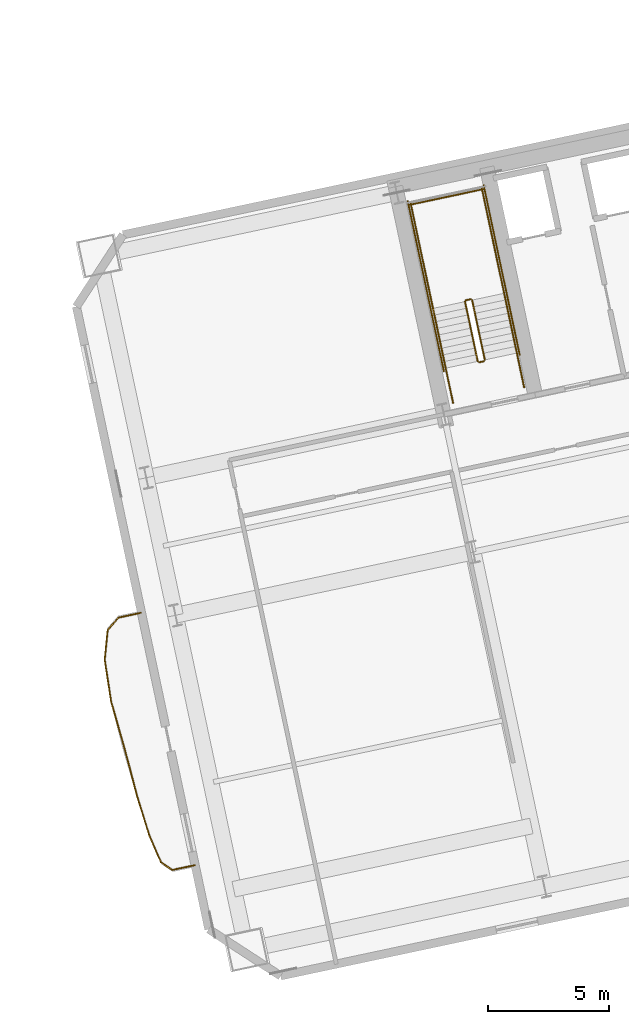
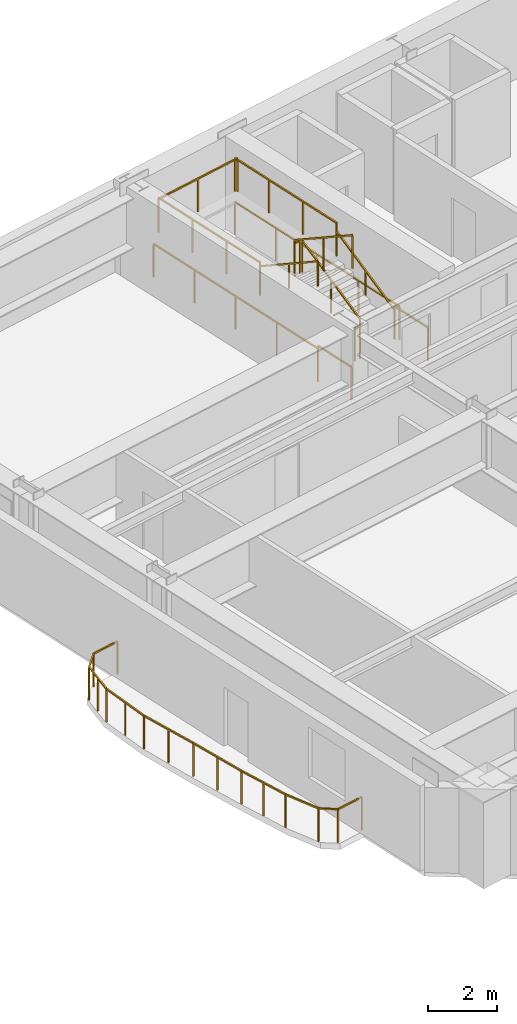
# One storey, part 16 of 18: 23 railings.
"""IFC4 building model written with IfcOpenShell, lengths in metres."""

from ifc_helpers import new_model, si_unit, direction, frame, origin, origin_2d, place, context, subcontext, project, spatial, rectangle, extrude, material, type_object, element, save


model = new_model("IFC4")

# Units and contexts
model_context = context("Model", 3, precision=1e-05, world=origin(), true_north=direction((0.0, 1.0)))
body_context = subcontext(model_context, "Body", "Model", "MODEL_VIEW")
ifc_project = project(units=[si_unit("LENGTHUNIT", "METRE"), si_unit("AREAUNIT", "SQUARE_METRE"), si_unit("VOLUMEUNIT", "CUBIC_METRE"), si_unit("PLANEANGLEUNIT", "RADIAN"), si_unit("MASSUNIT", "GRAM", prefix="KILO")], contexts=[model_context])

# Site, building, storey
site_placement = place(None, origin())
site = spatial("IfcSite", under=ifc_project, at=site_placement, CompositionType="ELEMENT")
building_placement = place(site_placement, origin())
building = spatial("IfcBuilding", under=site, at=building_placement, Name="Haevon Station Towers", CompositionType="ELEMENT")
storey_placement = place(building_placement, frame((0.0, 0.0, 66.89990234375)))
storey = spatial("IfcBuildingStorey", under=building, at=storey_placement, Name="L17", CompositionType="ELEMENT", Elevation=66.89990234375)

# Railings
ifc_material = material(Name="Steel S355", Category="steel")
railing_type_1 = type_object("IfcRailingType", Name="GRD-EXT1200", PredefinedType="GUARDRAIL", material=ifc_material)
railing_1_placement = place(storey_placement, frame((86.256591796875, 29.2626953125, 0.0)))
element("IfcRailing", 1, at=railing_1_placement, inside=storey, type_object=railing_type_1, Name="L17 Perimeter Guardrail 1", PredefinedType="GUARDRAIL", context=body_context, shape_type="SweptSolid", body=[
    extrude(rectangle(XDim=0.048095703125, YDim=0.048095703125, at=origin_2d()), frame((0.0, 0.0, 1.17578125), z_axis=(-0.97773800114, -0.209829457244, 0.0), x_axis=(0.209829457244, -0.97773800114, 0.0)), (0.0, 0.0, 1.0), 0.943603515625),
    extrude(rectangle(XDim=0.0419921875, YDim=0.0419921875, at=origin_2d()), origin(), (0.0, 0.0, 1.0), 1.15185546875),
    extrude(rectangle(XDim=0.0419921875, YDim=0.0419921875, at=origin_2d()), frame((-0.922607421875, -0.197998046875, 0.0)), (0.0, 0.0, 1.0), 1.15185546875),
])
railing_2_placement = place(storey_placement, frame((85.333984375, 29.064697265625, 0.0)))
element("IfcRailing", 2, at=railing_2_placement, inside=storey, type_object=railing_type_1, Name="L17 Perimeter Guardrail 2", PredefinedType="GUARDRAIL", context=body_context, shape_type="SweptSolid", body=[
    extrude(rectangle(XDim=0.048095703125, YDim=0.048095703125, at=origin_2d()), frame((0.0, 0.0, 1.17578125), z_axis=(-0.655665202025, -0.755051748461, 0.0), x_axis=(0.755051748461, -0.655665202025, 0.0)), (0.0, 0.0, 1.0), 0.682861328125),
    extrude(rectangle(XDim=0.0419921875, YDim=0.0419921875, at=origin_2d()), origin(), (0.0, 0.0, 1.0), 1.15185546875),
    extrude(rectangle(XDim=0.0419921875, YDim=0.0419921875, at=origin_2d()), frame((-0.44775390625, -0.515625, 0.0)), (0.0, 0.0, 1.0), 1.15185546875),
])
railing_3_placement = place(storey_placement, frame((84.88623046875, 28.549072265625, 0.0)))
element("IfcRailing", 3, at=railing_3_placement, inside=storey, type_object=railing_type_1, Name="L17 Perimeter Guardrail 3", PredefinedType="GUARDRAIL", context=body_context, shape_type="SweptSolid", body=[
    extrude(rectangle(XDim=0.048095703125, YDim=0.048095703125, at=origin_2d()), frame((0.0, 0.0, 1.17578125), z_axis=(-0.098459885115, -0.995141020671, 0.0), x_axis=(0.995141020671, -0.098459885115, 0.0)), (0.0, 0.0, 1.0), 1.227294921875),
    extrude(rectangle(XDim=0.0419921875, YDim=0.0419921875, at=origin_2d()), origin(), (0.0, 0.0, 1.0), 1.15185546875),
    extrude(rectangle(XDim=0.0419921875, YDim=0.0419921875, at=origin_2d()), frame((-0.060546875, -0.61083984375, 0.0)), (0.0, 0.0, 1.0), 1.15185546875),
    extrude(rectangle(XDim=0.0419921875, YDim=0.0419921875, at=origin_2d()), frame((-0.120849609375, -1.221435546875, 0.0)), (0.0, 0.0, 1.0), 1.15185546875),
])
railing_4_placement = place(storey_placement, frame((84.765380859375, 27.32763671875, 0.0)))
element("IfcRailing", 4, at=railing_4_placement, inside=storey, type_object=railing_type_1, Name="L17 Perimeter Guardrail 4", PredefinedType="GUARDRAIL", context=body_context, shape_type="SweptSolid", body=[
    extrude(rectangle(XDim=0.048095703125, YDim=0.048095703125, at=origin_2d()), frame((0.0, 0.0, 1.17578125), z_axis=(0.151135149522, -0.988513108957, 0.0), x_axis=(0.988513108957, 0.151135149522, 0.0)), (0.0, 0.0, 1.0), 1.7509765625),
    extrude(rectangle(XDim=0.0419921875, YDim=0.0419921875, at=origin_2d()), origin(), (0.0, 0.0, 1.0), 1.15185546875),
    extrude(rectangle(XDim=0.0419921875, YDim=0.0419921875, at=origin_2d()), frame((0.13232421875, -0.865478515625, 0.0)), (0.0, 0.0, 1.0), 1.15185546875),
    extrude(rectangle(XDim=0.0419921875, YDim=0.0419921875, at=origin_2d()), frame((0.2646484375, -1.73095703125, 0.0)), (0.0, 0.0, 1.0), 1.15185546875),
])
railing_5_placement = place(storey_placement, frame((85.030029296875, 25.5966796875, 0.0)))
element("IfcRailing", 5, at=railing_5_placement, inside=storey, type_object=railing_type_1, Name="L17 Perimeter Guardrail 5", PredefinedType="GUARDRAIL", context=body_context, shape_type="SweptSolid", body=[
    extrude(rectangle(XDim=0.048095703125, YDim=0.048095703125, at=origin_2d()), frame((0.0, 0.0, 1.17578125), z_axis=(0.27591625735, -0.96118167842, 0.0), x_axis=(0.96118167842, 0.27591625735, 0.0)), (0.0, 0.0, 1.0), 1.99609375),
    extrude(rectangle(XDim=0.0419921875, YDim=0.0419921875, at=origin_2d()), origin(), (0.0, 0.0, 1.0), 1.15185546875),
    extrude(rectangle(XDim=0.0419921875, YDim=0.0419921875, at=origin_2d()), frame((0.275390625, -0.95947265625, 0.0)), (0.0, 0.0, 1.0), 1.15185546875),
    extrude(rectangle(XDim=0.0419921875, YDim=0.0419921875, at=origin_2d()), frame((0.55078125, -1.918701171875, 0.0)), (0.0, 0.0, 1.0), 1.15185546875),
])
railing_6_placement = place(storey_placement, frame((85.580810546875, 23.677978515625, 0.0)))
element("IfcRailing", 6, at=railing_6_placement, inside=storey, type_object=railing_type_1, Name="L17 Perimeter Guardrail 6", PredefinedType="GUARDRAIL", context=body_context, shape_type="SweptSolid", body=[
    extrude(rectangle(XDim=0.048095703125, YDim=0.048095703125, at=origin_2d()), frame((0.0, 0.0, 1.17578125), z_axis=(0.254088852988, -0.967180880077, 0.0), x_axis=(0.967180880077, 0.254088852988, 0.0)), (0.0, 0.0, 1.0), 1.990966796875),
    extrude(rectangle(XDim=0.0419921875, YDim=0.0419921875, at=origin_2d()), origin(), (0.0, 0.0, 1.0), 1.15185546875),
    extrude(rectangle(XDim=0.0419921875, YDim=0.0419921875, at=origin_2d()), frame((0.2529296875, -0.962890625, 0.0)), (0.0, 0.0, 1.0), 1.15185546875),
    extrude(rectangle(XDim=0.0419921875, YDim=0.0419921875, at=origin_2d()), frame((0.505859375, -1.925537109375, 0.0)), (0.0, 0.0, 1.0), 1.15185546875),
])
railing_7_placement = place(storey_placement, frame((86.086669921875, 21.75244140625, 0.0)))
element("IfcRailing", 7, at=railing_7_placement, inside=storey, type_object=railing_type_1, Name="L17 Perimeter Guardrail 7", PredefinedType="GUARDRAIL", context=body_context, shape_type="SweptSolid", body=[
    extrude(rectangle(XDim=0.048095703125, YDim=0.048095703125, at=origin_2d()), frame((0.0, 0.0, 1.17578125), z_axis=(0.295267067972, -0.955414757355, 0.0), x_axis=(0.955414757355, 0.295267067972, 0.0)), (0.0, 0.0, 1.0), 1.757080078125),
    extrude(rectangle(XDim=0.0419921875, YDim=0.0419921875, at=origin_2d()), origin(), (0.0, 0.0, 1.0), 1.15185546875),
    extrude(rectangle(XDim=0.0419921875, YDim=0.0419921875, at=origin_2d()), frame((0.25927734375, -0.83935546875, 0.0)), (0.0, 0.0, 1.0), 1.15185546875),
    extrude(rectangle(XDim=0.0419921875, YDim=0.0419921875, at=origin_2d()), frame((0.518798828125, -1.6787109375, 0.0)), (0.0, 0.0, 1.0), 1.15185546875),
])
railing_8_placement = place(storey_placement, frame((86.60546875, 20.07373046875, 0.0)))
element("IfcRailing", 8, at=railing_8_placement, inside=storey, type_object=railing_type_1, Name="L17 Perimeter Guardrail 8", PredefinedType="GUARDRAIL", context=body_context, shape_type="SweptSolid", body=[
    extrude(rectangle(XDim=0.048095703125, YDim=0.048095703125, at=origin_2d()), frame((0.0, 0.0, 1.17578125), z_axis=(0.400690202957, -0.916213600234, 0.0), x_axis=(0.916213600234, 0.400690202957, 0.0)), (0.0, 0.0, 1.0), 1.19482421875),
    extrude(rectangle(XDim=0.0419921875, YDim=0.0419921875, at=origin_2d()), origin(), (0.0, 0.0, 1.0), 1.15185546875),
    extrude(rectangle(XDim=0.0419921875, YDim=0.0419921875, at=origin_2d()), frame((0.478759765625, -1.0947265625, 0.0)), (0.0, 0.0, 1.0), 1.15185546875),
])
railing_9_placement = place(storey_placement, frame((87.084228515625, 18.97900390625, 0.0)))
element("IfcRailing", 9, at=railing_9_placement, inside=storey, type_object=railing_type_1, Name="L17 Perimeter Guardrail 9", PredefinedType="GUARDRAIL", context=body_context, shape_type="SweptSolid", body=[
    extrude(rectangle(XDim=0.048095703125, YDim=0.048095703125, at=origin_2d()), frame((0.0, 0.0, 1.17578125), z_axis=(0.820330364131, -0.571889931442, 0.0), x_axis=(0.571889931442, 0.820330364131, 0.0)), (0.0, 0.0, 1.0), 0.56298828125),
    extrude(rectangle(XDim=0.0419921875, YDim=0.0419921875, at=origin_2d()), origin(), (0.0, 0.0, 1.0), 1.15185546875),
    extrude(rectangle(XDim=0.0419921875, YDim=0.0419921875, at=origin_2d()), frame((0.4619140625, -0.322021484375, 0.0)), (0.0, 0.0, 1.0), 1.15185546875),
])
railing_10_placement = place(storey_placement, frame((87.546142578125, 18.656982421875, 0.0)))
element("IfcRailing", 10, at=railing_10_placement, inside=storey, type_object=railing_type_1, Name="L17 Perimeter Guardrail 10", PredefinedType="GUARDRAIL", context=body_context, shape_type="SweptSolid", body=[
    extrude(rectangle(XDim=0.048095703125, YDim=0.048095703125, at=origin_2d()), frame((0.0, 0.0, 1.17578125), z_axis=(0.97862382912, 0.205658457349, 0.0), x_axis=(-0.205658457349, 0.97862382912, 0.0)), (0.0, 0.0, 1.0), 0.94384765625),
    extrude(rectangle(XDim=0.0419921875, YDim=0.0419921875, at=origin_2d()), origin(), (0.0, 0.0, 1.0), 1.15185546875),
    extrude(rectangle(XDim=0.0419921875, YDim=0.0419921875, at=origin_2d()), frame((0.923583984375, 0.194091796875, 0.0)), (0.0, 0.0, 1.0), 1.15185546875),
])
railing_type_2 = type_object("IfcRailingType", Name="GRD-STR1200", PredefinedType="GUARDRAIL", material=ifc_material)
railing_11_placement = place(storey_placement, frame((100.44140625, 39.69287109375, 0.1650390625)))
element("IfcRailing", 11, at=railing_11_placement, inside=storey, type_object=railing_type_2, Name="L17 ST3 Stair Guard 1", PredefinedType="GUARDRAIL", context=body_context, shape_type="SweptSolid", body=[
    extrude(rectangle(XDim=0.048095703125, YDim=0.048095703125, at=origin_2d()), frame((0.0, 0.0, 1.17578125), z_axis=(-0.179121265225, 0.842687928106, 0.507732831485), x_axis=(-0.978147030254, -0.207914374695, 0.0)), (0.0, 0.0, 1.0), 2.925048828125),
    extrude(rectangle(XDim=0.0419921875, YDim=0.0419921875, at=origin_2d()), origin(), (0.0, 0.0, 1.0), 1.15185546875),
    extrude(rectangle(XDim=0.0419921875, YDim=0.0419921875, at=origin_2d()), frame((-0.261962890625, 1.232421875, 0.74267578125)), (0.0, 0.0, 1.0), 1.15185546875),
    extrude(rectangle(XDim=0.0419921875, YDim=0.0419921875, at=origin_2d()), frame((-0.52392578125, 2.46484375, 1.485107421875)), (0.0, 0.0, 1.0), 1.15185546875),
])
railing_12_placement = place(storey_placement, frame((99.858154296875, 42.1962890625, 1.650146484375)))
element("IfcRailing", 12, at=railing_12_placement, inside=storey, type_object=railing_type_2, Name="L17 ST3 Stair Guard 2", PredefinedType="GUARDRAIL", context=body_context, shape_type="SweptSolid", body=[
    extrude(rectangle(XDim=0.048095703125, YDim=0.048095703125, at=origin_2d()), frame((0.0, 0.0, 1.17578125), z_axis=(-0.977962931203, -0.208778603291, 0.0), x_axis=(0.208778603291, -0.977962931203, 0.0)), (0.0, 0.0, 1.0), 0.199951171875),
    extrude(rectangle(XDim=0.0419921875, YDim=0.0419921875, at=origin_2d()), origin(), (0.0, 0.0, 1.0), 1.15185546875),
    extrude(rectangle(XDim=0.0419921875, YDim=0.0419921875, at=origin_2d()), frame((-0.195556640625, -0.041748046875, 0.0)), (0.0, 0.0, 1.0), 1.15185546875),
])
railing_13_placement = place(storey_placement, frame((101.238037109375, 42.4384765625, 1.650146484375)))
element("IfcRailing", 13, at=railing_13_placement, inside=storey, type_object=railing_type_2, Name="L17 ST3 Stair Guard 3", PredefinedType="GUARDRAIL", context=body_context, shape_type="SweptSolid", body=[
    extrude(rectangle(XDim=0.048095703125, YDim=0.048095703125, at=origin_2d()), frame((0.0, 0.0, 1.17578125), z_axis=(-0.20794048909, 0.978141479029, 0.0), x_axis=(-0.978141479029, -0.20794048909, 0.0)), (0.0, 0.0, 1.0), 4.429931640625),
    extrude(rectangle(XDim=0.0419921875, YDim=0.0419921875, at=origin_2d()), origin(), (0.0, 0.0, 1.0), 1.15185546875),
    extrude(rectangle(XDim=0.0419921875, YDim=0.0419921875, at=origin_2d()), frame((-0.30712890625, 1.4443359375, 0.0)), (0.0, 0.0, 1.0), 1.15185546875),
    extrude(rectangle(XDim=0.0419921875, YDim=0.0419921875, at=origin_2d()), frame((-0.614013671875, 2.888671875, 0.0)), (0.0, 0.0, 1.0), 1.15185546875),
    extrude(rectangle(XDim=0.0419921875, YDim=0.0419921875, at=origin_2d()), frame((-0.921142578125, 4.3330078125, 0.0)), (0.0, 0.0, 1.0), 1.15185546875),
])
railing_14_placement = place(storey_placement, frame((98.303466796875, 41.814697265625, 1.650146484375)))
element("IfcRailing", 14, at=railing_14_placement, inside=storey, type_object=railing_type_2, Name="L17 ST3 Stair Guard 4", PredefinedType="GUARDRAIL", context=body_context, shape_type="SweptSolid", body=[
    extrude(rectangle(XDim=0.048095703125, YDim=0.048095703125, at=origin_2d()), frame((0.0, 0.0, 1.17578125), z_axis=(-0.207876551949, 0.978155069071, 0.0), x_axis=(-0.978155069071, -0.207876551949, 0.0)), (0.0, 0.0, 1.0), 4.429931640625),
    extrude(rectangle(XDim=0.0419921875, YDim=0.0419921875, at=origin_2d()), origin(), (0.0, 0.0, 1.0), 1.15185546875),
    extrude(rectangle(XDim=0.0419921875, YDim=0.0419921875, at=origin_2d()), frame((-0.306884765625, 1.4443359375, 0.0)), (0.0, 0.0, 1.0), 1.15185546875),
    extrude(rectangle(XDim=0.0419921875, YDim=0.0419921875, at=origin_2d()), frame((-0.614013671875, 2.888916015625, 0.0)), (0.0, 0.0, 1.0), 1.15185546875),
    extrude(rectangle(XDim=0.0419921875, YDim=0.0419921875, at=origin_2d()), frame((-0.9208984375, 4.333251953125, 0.0)), (0.0, 0.0, 1.0), 1.15185546875),
])
railing_15_placement = place(storey_placement, frame((100.376220703125, 46.733154296875, 1.650146484375)))
element("IfcRailing", 15, at=railing_15_placement, inside=storey, type_object=railing_type_2, Name="L17 ST3 Stair Guard 5", PredefinedType="GUARDRAIL", context=body_context, shape_type="SweptSolid", body=[
    extrude(rectangle(XDim=0.048095703125, YDim=0.048095703125, at=origin_2d()), frame((0.0, 0.0, 1.17578125), z_axis=(-0.978146839882, -0.207915270313, 0.0), x_axis=(0.207915270313, -0.978146839882, 0.0)), (0.0, 0.0, 1.0), 3.099853515625),
    extrude(rectangle(XDim=0.0419921875, YDim=0.0419921875, at=origin_2d()), origin(), (0.0, 0.0, 1.0), 1.15185546875),
    extrude(rectangle(XDim=0.0419921875, YDim=0.0419921875, at=origin_2d()), frame((-1.51611328125, -0.322265625, 0.0)), (0.0, 0.0, 1.0), 1.15185546875),
    extrude(rectangle(XDim=0.0419921875, YDim=0.0419921875, at=origin_2d()), frame((-3.0322265625, -0.64453125, 0.0)), (0.0, 0.0, 1.0), 1.15185546875),
])
railing_16_placement = place(storey_placement, frame((99.6240234375, 42.09521484375, 1.815185546875)))
element("IfcRailing", 16, at=railing_16_placement, inside=storey, type_object=railing_type_2, Name="L17 ST3 Stair Guard 6", PredefinedType="GUARDRAIL", context=body_context, shape_type="SweptSolid", body=[
    extrude(rectangle(XDim=0.048095703125, YDim=0.048095703125, at=origin_2d()), frame((0.0, 0.0, 1.17578125), z_axis=(0.179128856099, -0.842723639875, 0.507670877349), x_axis=(0.978147030254, 0.207914374695, 0.0)), (0.0, 0.0, 1.0), 2.9248046875),
    extrude(rectangle(XDim=0.0419921875, YDim=0.0419921875, at=origin_2d()), origin(), (0.0, 0.0, 1.0), 1.15185546875),
    extrude(rectangle(XDim=0.0419921875, YDim=0.0419921875, at=origin_2d()), frame((0.261962890625, -1.232421875, 0.742431640625)), (0.0, 0.0, 1.0), 1.15185546875),
    extrude(rectangle(XDim=0.0419921875, YDim=0.0419921875, at=origin_2d()), frame((0.52392578125, -2.46484375, 1.48486328125)), (0.0, 0.0, 1.0), 1.15185546875),
])
railing_17_placement = place(storey_placement, frame((100.40283203125, 39.633544921875, 0.0)))
element("IfcRailing", 17, at=railing_17_placement, inside=storey, type_object=railing_type_2, Name="L17 ST3 Stair Guard 7", PredefinedType="GUARDRAIL", context=body_context, shape_type="SweptSolid", body=[
    extrude(rectangle(XDim=0.048095703125, YDim=0.048095703125, at=origin_2d()), frame((0.0, 0.0, 1.17578125), z_axis=(-0.977962931203, -0.208778603291, 0.0), x_axis=(0.208778603291, -0.977962931203, 0.0)), (0.0, 0.0, 1.0), 0.199951171875),
    extrude(rectangle(XDim=0.0419921875, YDim=0.0419921875, at=origin_2d()), origin(), (0.0, 0.0, 1.0), 1.15185546875),
    extrude(rectangle(XDim=0.0419921875, YDim=0.0419921875, at=origin_2d()), frame((-0.195556640625, -0.041748046875, 0.0)), (0.0, 0.0, 1.0), 1.15185546875),
])
for number, where, name in (
    (18, (102.0634765625, 38.55517578125, 0.0), "L17 ST3 Stair Guard 8"),
    (19, (99.12890625, 37.931396484375, 0.0), "L17 ST3 Stair Guard 9"),
):
    element("IfcRailing", number, at=place(storey_placement, frame(where)), inside=storey, type_object=railing_type_2, Name=name, PredefinedType="GUARDRAIL", context=body_context, shape_type="SweptSolid", body=[
        extrude(rectangle(XDim=0.048095703125, YDim=0.048095703125, at=origin_2d()), frame((0.0, 0.0, 1.17578125), z_axis=(-0.207953405961, 0.978138732977, 0.0), x_axis=(-0.978138732977, -0.207953405961, 0.0)), (0.0, 0.0, 1.0), 1.449951171875),
        extrude(rectangle(XDim=0.0419921875, YDim=0.0419921875, at=origin_2d()), origin(), (0.0, 0.0, 1.0), 1.15185546875),
        extrude(rectangle(XDim=0.0419921875, YDim=0.0419921875, at=origin_2d()), frame((-0.301513671875, 1.418212890625, 0.0)), (0.0, 0.0, 1.0), 1.15185546875),
    ])
railing_18_placement = place(storey_placement, frame((101.88037109375, 39.896484375, 0.0)))
element("IfcRailing", 20, at=railing_18_placement, inside=storey, type_object=railing_type_2, Name="L17 ST3 Stair Guard 10", PredefinedType="GUARDRAIL", context=body_context, shape_type="SweptSolid", body=[
    extrude(rectangle(XDim=0.048095703125, YDim=0.048095703125, at=origin_2d()), frame((0.0, 0.0, 1.17578125), z_axis=(-0.207882442208, 0.978153817261, 0.0), x_axis=(-0.978153817261, -0.207882442208, 0.0)), (0.0, 0.0, 1.0), 7.14990234375),
    extrude(rectangle(XDim=0.0419921875, YDim=0.0419921875, at=origin_2d()), origin(), (0.0, 0.0, 1.0), 1.15185546875),
    extrude(rectangle(XDim=0.0419921875, YDim=0.0419921875, at=origin_2d()), frame((-0.37158203125, 1.74853515625, 0.0)), (0.0, 0.0, 1.0), 1.15185546875),
    extrude(rectangle(XDim=0.0419921875, YDim=0.0419921875, at=origin_2d()), frame((-0.7431640625, 3.496826171875, 0.0)), (0.0, 0.0, 1.0), 1.15185546875),
    extrude(rectangle(XDim=0.0419921875, YDim=0.0419921875, at=origin_2d()), frame((-1.11474609375, 5.2451171875, 0.0)), (0.0, 0.0, 1.0), 1.15185546875),
    extrude(rectangle(XDim=0.0419921875, YDim=0.0419921875, at=origin_2d()), frame((-1.486328125, 6.99365234375, 0.0)), (0.0, 0.0, 1.0), 1.15185546875),
])
railing_19_placement = place(storey_placement, frame((98.75048828125, 39.231201171875, 0.0)))
element("IfcRailing", 21, at=railing_19_placement, inside=storey, type_object=railing_type_2, Name="L17 ST3 Stair Guard 11", PredefinedType="GUARDRAIL", context=body_context, shape_type="SweptSolid", body=[
    extrude(rectangle(XDim=0.048095703125, YDim=0.048095703125, at=origin_2d()), frame((0.0, 0.0, 1.17578125), z_axis=(-0.207915112487, 0.978146873429, 0.0), x_axis=(-0.978146873429, -0.207915112487, 0.0)), (0.0, 0.0, 1.0), 7.14990234375),
    extrude(rectangle(XDim=0.0419921875, YDim=0.0419921875, at=origin_2d()), origin(), (0.0, 0.0, 1.0), 1.15185546875),
    extrude(rectangle(XDim=0.0419921875, YDim=0.0419921875, at=origin_2d()), frame((-0.37158203125, 1.74853515625, 0.0)), (0.0, 0.0, 1.0), 1.15185546875),
    extrude(rectangle(XDim=0.0419921875, YDim=0.0419921875, at=origin_2d()), frame((-0.7431640625, 3.496826171875, 0.0)), (0.0, 0.0, 1.0), 1.15185546875),
    extrude(rectangle(XDim=0.0419921875, YDim=0.0419921875, at=origin_2d()), frame((-1.114990234375, 5.2451171875, 0.0)), (0.0, 0.0, 1.0), 1.15185546875),
    extrude(rectangle(XDim=0.0419921875, YDim=0.0419921875, at=origin_2d()), frame((-1.486572265625, 6.99365234375, 0.0)), (0.0, 0.0, 1.0), 1.15185546875),
])
railing_type_3 = type_object("IfcRailingType", Name="HND-STR900", PredefinedType="HANDRAIL", material=ifc_material)
railing_20_placement = place(storey_placement, frame((101.761962890625, 39.973388671875, 0.1650390625)))
element("IfcRailing", 22, at=railing_20_placement, inside=storey, type_object=railing_type_3, Name="L17 ST3 Stair Handrail 1", PredefinedType="HANDRAIL", context=body_context, shape_type="SweptSolid", body=[
    extrude(rectangle(XDim=0.048095703125, YDim=0.048095703125, at=origin_2d()), frame((0.0, 0.0, 0.8759765625), z_axis=(-0.179108667068, 0.842712120868, 0.50769712105), x_axis=(-0.978151217824, -0.207894673017, 0.0)), (0.0, 0.0, 1.0), 2.92529296875),
    extrude(rectangle(XDim=0.0419921875, YDim=0.0419921875, at=origin_2d()), origin(), (0.0, 0.0, 1.0), 0.851806640625),
    extrude(rectangle(XDim=0.0419921875, YDim=0.0419921875, at=origin_2d()), frame((-0.261962890625, 1.232421875, 0.74267578125)), (0.0, 0.0, 1.0), 0.851806640625),
    extrude(rectangle(XDim=0.0419921875, YDim=0.0419921875, at=origin_2d()), frame((-0.52392578125, 2.465087890625, 1.485107421875)), (0.0, 0.0, 1.0), 0.851806640625),
])
railing_21_placement = place(storey_placement, frame((98.303466796875, 41.814697265625, 1.815185546875)))
element("IfcRailing", 23, at=railing_21_placement, inside=storey, type_object=railing_type_3, Name="L17 ST3 Stair Handrail 2", PredefinedType="HANDRAIL", context=body_context, shape_type="SweptSolid", body=[
    extrude(rectangle(XDim=0.048095703125, YDim=0.048095703125, at=origin_2d()), frame((0.0, 0.0, 0.8759765625), z_axis=(0.179116256339, -0.842747828638, 0.507635168246), x_axis=(0.978151217824, 0.207894673017, 0.0)), (0.0, 0.0, 1.0), 2.925048828125),
    extrude(rectangle(XDim=0.0419921875, YDim=0.0419921875, at=origin_2d()), origin(), (0.0, 0.0, 1.0), 0.851806640625),
    extrude(rectangle(XDim=0.0419921875, YDim=0.0419921875, at=origin_2d()), frame((0.261962890625, -1.232421875, 0.742431640625)), (0.0, 0.0, 1.0), 0.851806640625),
    extrude(rectangle(XDim=0.0419921875, YDim=0.0419921875, at=origin_2d()), frame((0.52392578125, -2.465087890625, 1.48486328125)), (0.0, 0.0, 1.0), 0.851806640625),
])

save(model, "model.ifc")
